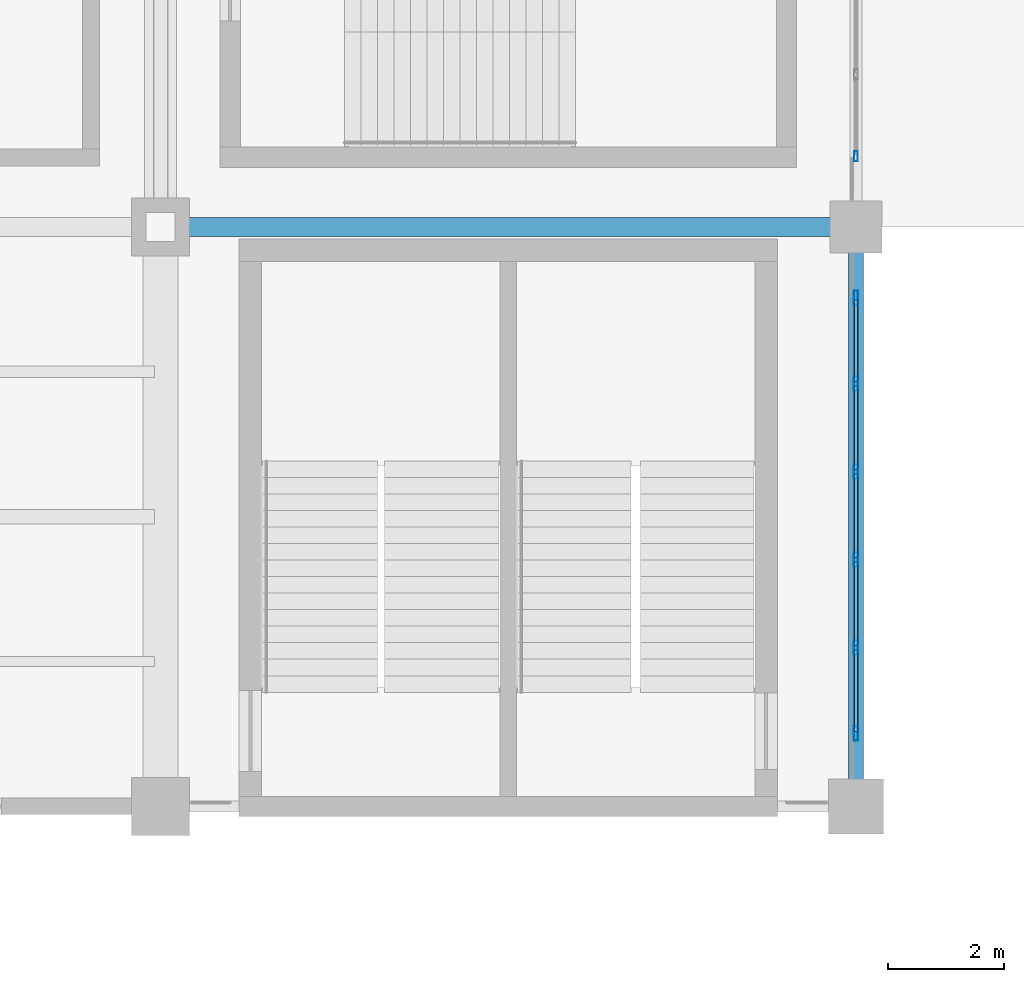
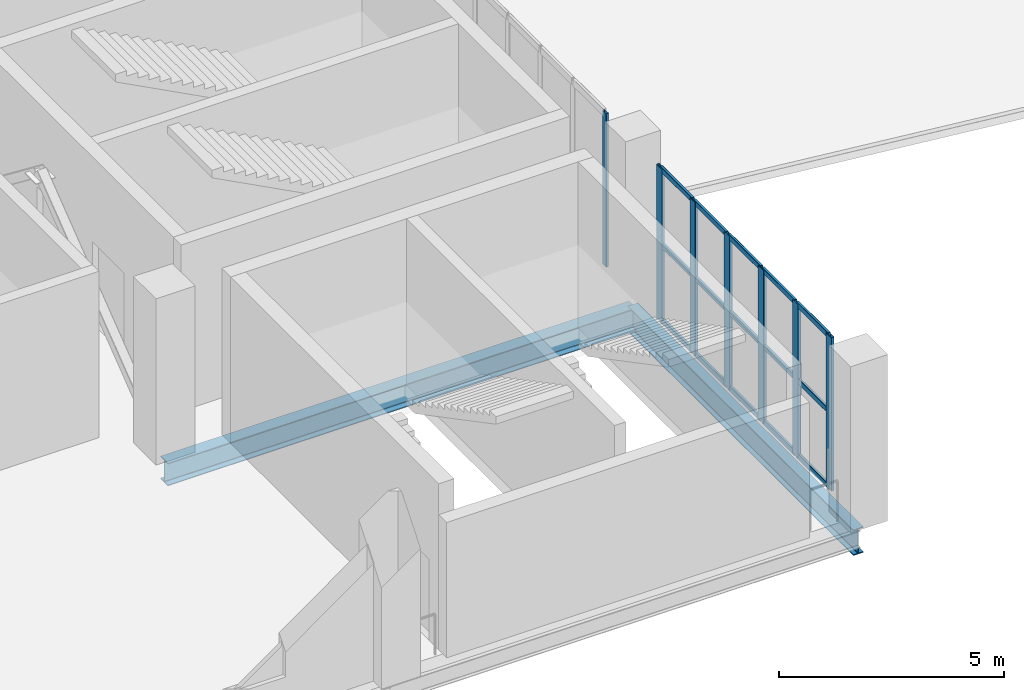
# One storey, part 49 of 108: 22 members, 2 beams, 2 elements without a shape of their own.
"""IFC4 building model written with IfcOpenShell, lengths in metres."""

from ifc_helpers import new_model, si_unit, direction, frame, origin, origin_2d, place, context, subcontext, project, spatial, hollow_rectangle, i_section, extrude, material, layer, layer_set, material_profile, profile_set, type_object, element, aggregate, save


model = new_model("IFC4")

# Units and contexts
model_context = context("Model", 3, precision=1e-05, world=origin(), true_north=direction((0.0, 1.0)))
body_context = subcontext(model_context, "Body", "Model", "MODEL_VIEW")
ifc_project = project(units=[si_unit("LENGTHUNIT", "METRE"), si_unit("AREAUNIT", "SQUARE_METRE"), si_unit("VOLUMEUNIT", "CUBIC_METRE"), si_unit("PLANEANGLEUNIT", "RADIAN"), si_unit("MASSUNIT", "GRAM", prefix="KILO")], contexts=[model_context])

# Site, building, storey
site_placement = place(None, origin())
site = spatial("IfcSite", under=ifc_project, at=site_placement, CompositionType="ELEMENT")
building_placement = place(site_placement, origin())
building = spatial("IfcBuilding", under=site, at=building_placement, Name="Brinegate Civic Arena", CompositionType="ELEMENT")
storey_placement = place(building_placement, frame((0.0, 0.0, 10.199951171875)))
storey = spatial("IfcBuildingStorey", under=building, at=storey_placement, Name="L02", CompositionType="ELEMENT", Elevation=10.199951171875)

# Curtain wall, member
ifc_material_1 = material(Name="Marine grade aluminium", Category="aluminium")
ifc_layer = layer(ifc_material_1, 0.199951171875, Name="Marine grade aluminium")
ifc_layer_set = layer_set([ifc_layer], Name="Marine grade aluminium")
curtain_wall_type = type_object("IfcCurtainWallType", Name="CW-BOWL-GLAZED-01", PredefinedType="USERDEFINED", material=ifc_layer_set)
curtain_wall_1_placement = place(storey_placement, origin())
curtain_wall_1 = element("IfcCurtainWall", 1, at=curtain_wall_1_placement, inside=storey, type_object=curtain_wall_type, Name="Curtain Wall CWA-076", ObjectType="GLAZED CURTAIN WALL", PredefinedType="USERDEFINED")
ifc_material_profile_1 = material_profile(ifc_material_1, hollow_rectangle(XDim=0.06494140625, YDim=0.179931640625, WallThickness=0.0048828125, InnerFilletRadius=0.00390625, OuterFilletRadius=0.008056640625, at=origin_2d()), Name="MUL65X180")
ifc_profile_set_1 = profile_set([ifc_material_profile_1], Name="Marine grade aluminium")
member_type_1 = type_object("IfcMemberType", Name="CW-MULLION-65X180", PredefinedType="MULLION", material=ifc_profile_set_1)
member_1_placement = place(storey_placement, frame((168.0, 21.218505859375, 0.0), z_axis=(0.0, 0.0, 1.0), x_axis=(-1.0, 0.0, 0.0)))
member_1 = element("IfcMember", 2, at=member_1_placement, type_object=member_type_1, Name="CWA-076 mullion 1", PredefinedType="MULLION", context=body_context, shape_type="SweptSolid", body=[
    extrude(hollow_rectangle(XDim=0.06494140625, YDim=0.179931640625, WallThickness=0.0048828125, InnerFilletRadius=0.00390625, OuterFilletRadius=0.008056640625, at=origin_2d()), origin(), (0.0, 0.0, 1.0), 4.150146484375),
])
aggregate(curtain_wall_1, [member_1])

# Curtain wall, members
curtain_wall_2_placement = place(storey_placement, origin())
curtain_wall_2 = element("IfcCurtainWall", 3, at=curtain_wall_2_placement, inside=storey, type_object=curtain_wall_type, Name="Curtain Wall CWA-074", ObjectType="GLAZED CURTAIN WALL", PredefinedType="USERDEFINED")
ifc_material_profile_2 = material_profile(ifc_material_1, hollow_rectangle(XDim=0.074951171875, YDim=0.25, WallThickness=0.006103515625, InnerFilletRadius=0.00390625, OuterFilletRadius=0.008056640625, at=origin_2d()), Name="MUL75X250")
ifc_profile_set_2 = profile_set([ifc_material_profile_2], Name="Marine grade aluminium")
member_type_2 = type_object("IfcMemberType", Name="CW-MULLION-75X250", PredefinedType="MULLION", material=ifc_profile_set_2)
member_2_placement = place(storey_placement, frame((168.0, 11.259521484375, 0.0), z_axis=(0.0, 0.0, 1.0), x_axis=(-1.0, 0.0, 0.0)))
member_2 = element("IfcMember", 4, at=member_2_placement, type_object=member_type_2, Name="CWA-074 mullion 1", PredefinedType="MULLION", context=body_context, shape_type="SweptSolid", body=[
    extrude(hollow_rectangle(XDim=0.074951171875, YDim=0.25, WallThickness=0.006103515625, InnerFilletRadius=0.00390625, OuterFilletRadius=0.008056640625, at=origin_2d()), origin(), (0.0, 0.0, 1.0), 4.150146484375),
])
member_3_placement = place(storey_placement, frame((168.0, 12.740478515625, 0.0), z_axis=(0.0, 0.0, 1.0), x_axis=(-1.0, 0.0, 0.0)))
member_3 = element("IfcMember", 5, at=member_3_placement, type_object=member_type_2, Name="CWA-074 mullion 2", PredefinedType="MULLION", context=body_context, shape_type="SweptSolid", body=[
    extrude(hollow_rectangle(XDim=0.074951171875, YDim=0.25, WallThickness=0.006103515625, InnerFilletRadius=0.00390625, OuterFilletRadius=0.008056640625, at=origin_2d()), origin(), (0.0, 0.0, 1.0), 4.150146484375),
])
member_4_placement = place(storey_placement, frame((168.0, 14.2587890625, 0.0), z_axis=(0.0, 0.0, 1.0), x_axis=(-1.0, 0.0, 0.0)))
member_4 = element("IfcMember", 6, at=member_4_placement, type_object=member_type_2, Name="CWA-074 mullion 3", PredefinedType="MULLION", context=body_context, shape_type="SweptSolid", body=[
    extrude(hollow_rectangle(XDim=0.074951171875, YDim=0.25, WallThickness=0.006103515625, InnerFilletRadius=0.00390625, OuterFilletRadius=0.008056640625, at=origin_2d()), origin(), (0.0, 0.0, 1.0), 4.150146484375),
])
member_5_placement = place(storey_placement, frame((168.0, 15.777099609375, 0.0), z_axis=(0.0, 0.0, 1.0), x_axis=(-1.0, 0.0, 0.0)))
member_5 = element("IfcMember", 7, at=member_5_placement, type_object=member_type_2, Name="CWA-074 mullion 4", PredefinedType="MULLION", context=body_context, shape_type="SweptSolid", body=[
    extrude(hollow_rectangle(XDim=0.074951171875, YDim=0.25, WallThickness=0.006103515625, InnerFilletRadius=0.00390625, OuterFilletRadius=0.008056640625, at=origin_2d()), origin(), (0.0, 0.0, 1.0), 4.150146484375),
])
member_6_placement = place(storey_placement, frame((168.0, 17.295654296875, 0.0), z_axis=(0.0, 0.0, 1.0), x_axis=(-1.0, 0.0, 0.0)))
member_6 = element("IfcMember", 8, at=member_6_placement, type_object=member_type_2, Name="CWA-074 mullion 5", PredefinedType="MULLION", context=body_context, shape_type="SweptSolid", body=[
    extrude(hollow_rectangle(XDim=0.074951171875, YDim=0.25, WallThickness=0.006103515625, InnerFilletRadius=0.00390625, OuterFilletRadius=0.008056640625, at=origin_2d()), origin(), (0.0, 0.0, 1.0), 4.150146484375),
])
member_7_placement = place(storey_placement, frame((168.0, 18.776611328125, 0.0), z_axis=(0.0, 0.0, 1.0), x_axis=(-1.0, 0.0, 0.0)))
member_7 = element("IfcMember", 9, at=member_7_placement, type_object=member_type_2, Name="CWA-074 mullion 6", PredefinedType="MULLION", context=body_context, shape_type="SweptSolid", body=[
    extrude(hollow_rectangle(XDim=0.074951171875, YDim=0.25, WallThickness=0.006103515625, InnerFilletRadius=0.00390625, OuterFilletRadius=0.008056640625, at=origin_2d()), origin(), (0.0, 0.0, 1.0), 4.150146484375),
])
ifc_material_profile_3 = material_profile(ifc_material_1, hollow_rectangle(XDim=0.06494140625, YDim=0.139892578125, WallThickness=0.0048828125, InnerFilletRadius=0.00390625, OuterFilletRadius=0.008056640625, at=origin_2d()), Name="TRN65X140")
ifc_profile_set_3 = profile_set([ifc_material_profile_3], Name="Marine grade aluminium")
member_type_3 = type_object("IfcMemberType", Name="CW-TRANSOM-65X140", PredefinedType="USERDEFINED", material=ifc_profile_set_3)
member_8_placement = place(storey_placement, frame((168.0, 11.297119140625, 0.032470703125), z_axis=(0.0, 1.0, 0.0), x_axis=(-1.0, 0.0, 0.0)))
member_8 = element("IfcMember", 10, at=member_8_placement, type_object=member_type_3, Name="CWA-074 transom 1.1", ObjectType="TRANSOM", PredefinedType="USERDEFINED", context=body_context, shape_type="SweptSolid", body=[
    extrude(hollow_rectangle(XDim=0.06494140625, YDim=0.139892578125, WallThickness=0.0048828125, InnerFilletRadius=0.00390625, OuterFilletRadius=0.008056640625, at=origin_2d()), origin(), (0.0, 0.0, 1.0), 1.40576171875),
])
member_9_placement = place(storey_placement, frame((168.0, 11.297119140625, 2.074951171875), z_axis=(0.0, 1.0, 0.0), x_axis=(-1.0, 0.0, 0.0)))
member_9 = element("IfcMember", 11, at=member_9_placement, type_object=member_type_3, Name="CWA-074 transom 1.2", ObjectType="TRANSOM", PredefinedType="USERDEFINED", context=body_context, shape_type="SweptSolid", body=[
    extrude(hollow_rectangle(XDim=0.06494140625, YDim=0.139892578125, WallThickness=0.0048828125, InnerFilletRadius=0.00390625, OuterFilletRadius=0.008056640625, at=origin_2d()), origin(), (0.0, 0.0, 1.0), 1.40576171875),
])
member_10_placement = place(storey_placement, frame((168.0, 11.297119140625, 4.117431640625), z_axis=(0.0, 1.0, 0.0), x_axis=(-1.0, 0.0, 0.0)))
member_10 = element("IfcMember", 12, at=member_10_placement, type_object=member_type_3, Name="CWA-074 transom 1.3", ObjectType="TRANSOM", PredefinedType="USERDEFINED", context=body_context, shape_type="SweptSolid", body=[
    extrude(hollow_rectangle(XDim=0.06494140625, YDim=0.139892578125, WallThickness=0.0048828125, InnerFilletRadius=0.00390625, OuterFilletRadius=0.008056640625, at=origin_2d()), origin(), (0.0, 0.0, 1.0), 1.40576171875),
])
member_11_placement = place(storey_placement, frame((168.0, 12.77783203125, 0.032470703125), z_axis=(0.0, 1.0, 0.0), x_axis=(-1.0, 0.0, 0.0)))
member_11 = element("IfcMember", 13, at=member_11_placement, type_object=member_type_3, Name="CWA-074 transom 2.1", ObjectType="TRANSOM", PredefinedType="USERDEFINED", context=body_context, shape_type="SweptSolid", body=[
    extrude(hollow_rectangle(XDim=0.06494140625, YDim=0.139892578125, WallThickness=0.0048828125, InnerFilletRadius=0.00390625, OuterFilletRadius=0.008056640625, at=origin_2d()), origin(), (0.0, 0.0, 1.0), 1.443359375),
])
member_12_placement = place(storey_placement, frame((168.0, 12.77783203125, 2.074951171875), z_axis=(0.0, 1.0, 0.0), x_axis=(-1.0, 0.0, 0.0)))
member_12 = element("IfcMember", 14, at=member_12_placement, type_object=member_type_3, Name="CWA-074 transom 2.2", ObjectType="TRANSOM", PredefinedType="USERDEFINED", context=body_context, shape_type="SweptSolid", body=[
    extrude(hollow_rectangle(XDim=0.06494140625, YDim=0.139892578125, WallThickness=0.0048828125, InnerFilletRadius=0.00390625, OuterFilletRadius=0.008056640625, at=origin_2d()), origin(), (0.0, 0.0, 1.0), 1.443359375),
])
member_13_placement = place(storey_placement, frame((168.0, 12.77783203125, 4.117431640625), z_axis=(0.0, 1.0, 0.0), x_axis=(-1.0, 0.0, 0.0)))
member_13 = element("IfcMember", 15, at=member_13_placement, type_object=member_type_3, Name="CWA-074 transom 2.3", ObjectType="TRANSOM", PredefinedType="USERDEFINED", context=body_context, shape_type="SweptSolid", body=[
    extrude(hollow_rectangle(XDim=0.06494140625, YDim=0.139892578125, WallThickness=0.0048828125, InnerFilletRadius=0.00390625, OuterFilletRadius=0.008056640625, at=origin_2d()), origin(), (0.0, 0.0, 1.0), 1.443359375),
])
member_14_placement = place(storey_placement, frame((168.0, 14.29638671875, 0.032470703125), z_axis=(0.0, 1.0, 0.0), x_axis=(-1.0, 0.0, 0.0)))
member_14 = element("IfcMember", 16, at=member_14_placement, type_object=member_type_3, Name="CWA-074 transom 3.1", ObjectType="TRANSOM", PredefinedType="USERDEFINED", context=body_context, shape_type="SweptSolid", body=[
    extrude(hollow_rectangle(XDim=0.06494140625, YDim=0.139892578125, WallThickness=0.0048828125, InnerFilletRadius=0.00390625, OuterFilletRadius=0.008056640625, at=origin_2d()), origin(), (0.0, 0.0, 1.0), 1.443359375),
])
member_15_placement = place(storey_placement, frame((168.0, 14.29638671875, 2.074951171875), z_axis=(0.0, 1.0, 0.0), x_axis=(-1.0, 0.0, 0.0)))
member_15 = element("IfcMember", 17, at=member_15_placement, type_object=member_type_3, Name="CWA-074 transom 3.2", ObjectType="TRANSOM", PredefinedType="USERDEFINED", context=body_context, shape_type="SweptSolid", body=[
    extrude(hollow_rectangle(XDim=0.06494140625, YDim=0.139892578125, WallThickness=0.0048828125, InnerFilletRadius=0.00390625, OuterFilletRadius=0.008056640625, at=origin_2d()), origin(), (0.0, 0.0, 1.0), 1.443359375),
])
member_16_placement = place(storey_placement, frame((168.0, 14.29638671875, 4.117431640625), z_axis=(0.0, 1.0, 0.0), x_axis=(-1.0, 0.0, 0.0)))
member_16 = element("IfcMember", 18, at=member_16_placement, type_object=member_type_3, Name="CWA-074 transom 3.3", ObjectType="TRANSOM", PredefinedType="USERDEFINED", context=body_context, shape_type="SweptSolid", body=[
    extrude(hollow_rectangle(XDim=0.06494140625, YDim=0.139892578125, WallThickness=0.0048828125, InnerFilletRadius=0.00390625, OuterFilletRadius=0.008056640625, at=origin_2d()), origin(), (0.0, 0.0, 1.0), 1.443359375),
])
member_17_placement = place(storey_placement, frame((168.0, 15.814697265625, 0.032470703125), z_axis=(0.0, 1.0, 0.0), x_axis=(-1.0, 0.0, 0.0)))
member_17 = element("IfcMember", 19, at=member_17_placement, type_object=member_type_3, Name="CWA-074 transom 4.1", ObjectType="TRANSOM", PredefinedType="USERDEFINED", context=body_context, shape_type="SweptSolid", body=[
    extrude(hollow_rectangle(XDim=0.06494140625, YDim=0.139892578125, WallThickness=0.0048828125, InnerFilletRadius=0.00390625, OuterFilletRadius=0.008056640625, at=origin_2d()), origin(), (0.0, 0.0, 1.0), 1.443359375),
])
member_18_placement = place(storey_placement, frame((168.0, 15.814697265625, 2.074951171875), z_axis=(0.0, 1.0, 0.0), x_axis=(-1.0, 0.0, 0.0)))
member_18 = element("IfcMember", 20, at=member_18_placement, type_object=member_type_3, Name="CWA-074 transom 4.2", ObjectType="TRANSOM", PredefinedType="USERDEFINED", context=body_context, shape_type="SweptSolid", body=[
    extrude(hollow_rectangle(XDim=0.06494140625, YDim=0.139892578125, WallThickness=0.0048828125, InnerFilletRadius=0.00390625, OuterFilletRadius=0.008056640625, at=origin_2d()), origin(), (0.0, 0.0, 1.0), 1.443359375),
])
member_19_placement = place(storey_placement, frame((168.0, 15.814697265625, 4.117431640625), z_axis=(0.0, 1.0, 0.0), x_axis=(-1.0, 0.0, 0.0)))
member_19 = element("IfcMember", 21, at=member_19_placement, type_object=member_type_3, Name="CWA-074 transom 4.3", ObjectType="TRANSOM", PredefinedType="USERDEFINED", context=body_context, shape_type="SweptSolid", body=[
    extrude(hollow_rectangle(XDim=0.06494140625, YDim=0.139892578125, WallThickness=0.0048828125, InnerFilletRadius=0.00390625, OuterFilletRadius=0.008056640625, at=origin_2d()), origin(), (0.0, 0.0, 1.0), 1.443359375),
])
member_20_placement = place(storey_placement, frame((168.0, 17.3330078125, 0.032470703125), z_axis=(0.0, 1.0, 0.0), x_axis=(-1.0, 0.0, 0.0)))
member_20 = element("IfcMember", 22, at=member_20_placement, type_object=member_type_3, Name="CWA-074 transom 5.1", ObjectType="TRANSOM", PredefinedType="USERDEFINED", context=body_context, shape_type="SweptSolid", body=[
    extrude(hollow_rectangle(XDim=0.06494140625, YDim=0.139892578125, WallThickness=0.0048828125, InnerFilletRadius=0.00390625, OuterFilletRadius=0.008056640625, at=origin_2d()), origin(), (0.0, 0.0, 1.0), 1.406005859375),
])
member_21_placement = place(storey_placement, frame((168.0, 17.3330078125, 2.074951171875), z_axis=(0.0, 1.0, 0.0), x_axis=(-1.0, 0.0, 0.0)))
member_21 = element("IfcMember", 23, at=member_21_placement, type_object=member_type_3, Name="CWA-074 transom 5.2", ObjectType="TRANSOM", PredefinedType="USERDEFINED", context=body_context, shape_type="SweptSolid", body=[
    extrude(hollow_rectangle(XDim=0.06494140625, YDim=0.139892578125, WallThickness=0.0048828125, InnerFilletRadius=0.00390625, OuterFilletRadius=0.008056640625, at=origin_2d()), origin(), (0.0, 0.0, 1.0), 1.406005859375),
])
member_22_placement = place(storey_placement, frame((168.0, 17.3330078125, 4.117431640625), z_axis=(0.0, 1.0, 0.0), x_axis=(-1.0, 0.0, 0.0)))
member_22 = element("IfcMember", 24, at=member_22_placement, type_object=member_type_3, Name="CWA-074 transom 5.3", ObjectType="TRANSOM", PredefinedType="USERDEFINED", context=body_context, shape_type="SweptSolid", body=[
    extrude(hollow_rectangle(XDim=0.06494140625, YDim=0.139892578125, WallThickness=0.0048828125, InnerFilletRadius=0.00390625, OuterFilletRadius=0.008056640625, at=origin_2d()), origin(), (0.0, 0.0, 1.0), 1.406005859375),
])
aggregate(curtain_wall_2, [member_2, member_3, member_4, member_5, member_6, member_7, member_8, member_9, member_10, member_11, member_12, member_13, member_14, member_15, member_16, member_17, member_18, member_19, member_20, member_21, member_22])

# Beams
ifc_material_2 = material(Name="Steel S355", Category="steel")
ifc_material_profile_4 = material_profile(ifc_material_2, i_section(OverallWidth=0.324951171875, OverallDepth=0.615966796875, WebThickness=0.013916015625, FlangeThickness=0.02197265625, FilletRadius=0.01611328125, at=origin_2d()), Name="W610X174")
ifc_profile_set_4 = profile_set([ifc_material_profile_4], Name="Steel S355")
beam_type_1 = type_object("IfcBeamType", Name="GIRDER-W610X174", PredefinedType="BEAM", material=ifc_profile_set_4)
beam_1_placement = place(storey_placement, frame((156.0, 20.0, -0.637939453125), z_axis=(1.0, 0.0, 0.0), x_axis=(0.0, 1.0, 0.0)))
element("IfcBeam", 25, at=beam_1_placement, inside=storey, type_object=beam_type_1, Name="Floor Girder BM-L02-GX-13-02", PredefinedType="BEAM", context=body_context, shape_type="SweptSolid", body=[
    extrude(i_section(OverallWidth=0.324951171875, OverallDepth=0.615966796875, WebThickness=0.013916015625, FlangeThickness=0.02197265625, FilletRadius=0.01611328125, at=origin_2d()), origin(), (0.0, 0.0, 1.0), 12.0),
])
ifc_material_profile_5 = material_profile(ifc_material_2, i_section(OverallWidth=0.256103515625, OverallDepth=0.693115234375, WebThickness=0.014892578125, FlangeThickness=0.02392578125, FilletRadius=0.01806640625, at=origin_2d()), Name="W690X170")
ifc_profile_set_5 = profile_set([ifc_material_profile_5], Name="Steel S355")
beam_type_2 = type_object("IfcBeamType", Name="SPANDREL-W690X170", PredefinedType="SPANDREL", material=ifc_profile_set_5)
beam_2_placement = place(storey_placement, frame((168.0, 10.0, -0.676025390625), z_axis=(0.0, 1.0, 0.0), x_axis=(-1.0, 0.0, 0.0)))
element("IfcBeam", 26, at=beam_2_placement, inside=storey, type_object=beam_type_2, Name="Floor Girder BM-L02-GY-14-01", PredefinedType="SPANDREL", context=body_context, shape_type="SweptSolid", body=[
    extrude(i_section(OverallWidth=0.256103515625, OverallDepth=0.693115234375, WebThickness=0.014892578125, FlangeThickness=0.02392578125, FilletRadius=0.01806640625, at=origin_2d()), origin(), (0.0, 0.0, 1.0), 10.0),
])

save(model, "model.ifc")
